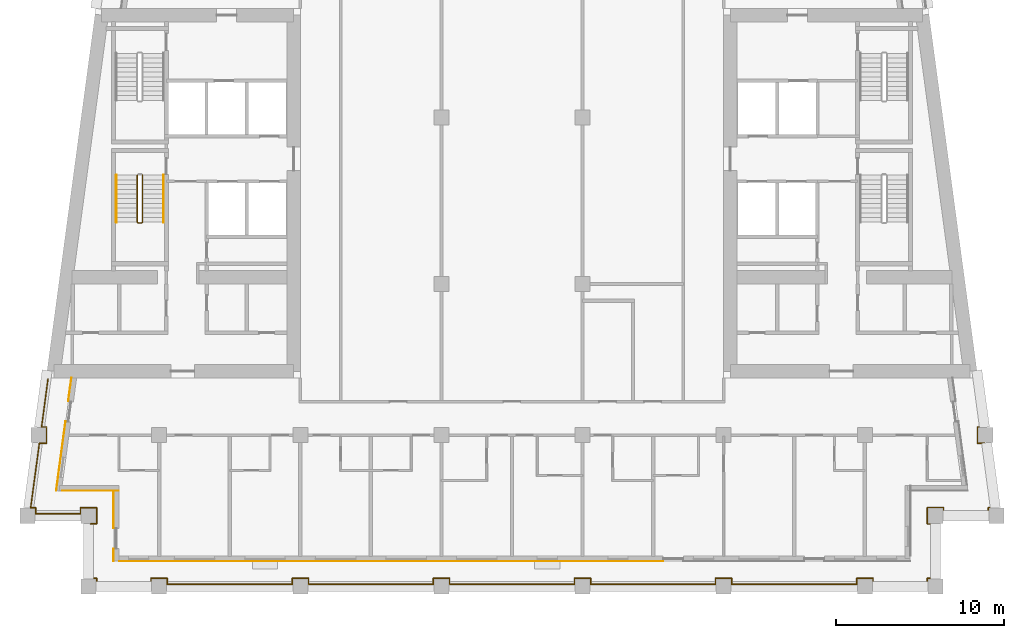
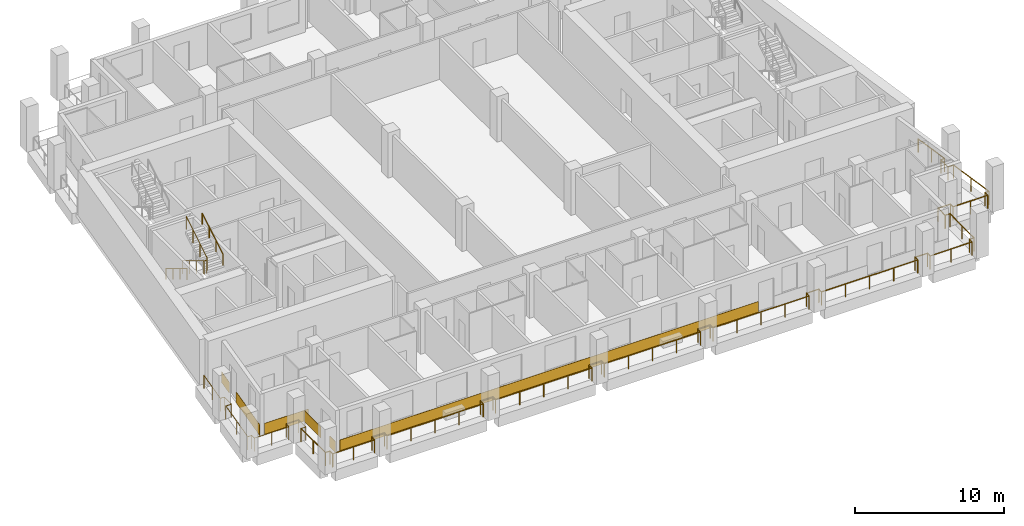
# One storey, part 9 of 13: 6 coverings, 5 railings.
"""IFC4 building model written with IfcOpenShell, lengths in metres."""

from ifc_helpers import new_model, si_unit, direction, frame, origin, origin_2d, place, context, subcontext, project, spatial, rectangle, circle, extrude, material, layer, layer_set, type_object, element, save


model = new_model("IFC4")

# Units and contexts
model_context = context("Model", 3, precision=1e-05, world=origin(), true_north=direction((0.0, 1.0)))
body_context = subcontext(model_context, "Body", "Model", "MODEL_VIEW")
ifc_project = project(units=[si_unit("LENGTHUNIT", "METRE"), si_unit("AREAUNIT", "SQUARE_METRE"), si_unit("VOLUMEUNIT", "CUBIC_METRE"), si_unit("PLANEANGLEUNIT", "RADIAN"), si_unit("MASSUNIT", "GRAM", prefix="KILO")], contexts=[model_context])

# Site, building, storey
site_placement = place(None, origin())
site = spatial("IfcSite", under=ifc_project, at=site_placement, CompositionType="ELEMENT")
building_placement = place(site_placement, origin())
building = spatial("IfcBuilding", under=site, at=building_placement, Name="Candeia Pilgrim Tower and Theatre", CompositionType="ELEMENT")
storey_placement = place(building_placement, frame((0.0, 0.0, 205.89990234375)))
storey = spatial("IfcBuildingStorey", under=building, at=storey_placement, Name="L49", CompositionType="ELEMENT", Elevation=205.89990234375)

# Railings
ifc_material_1 = material(Name="Stainless steel balustrade", Category="steel")
railing_type_1 = type_object("IfcRailingType", Name="G1 loggia guard 1100", PredefinedType="GUARDRAIL", material=ifc_material_1)
railing_1_placement = place(storey_placement, frame((88.320068359375, 101.719970703125, 0.0)))
element("IfcRailing", 1, at=railing_1_placement, inside=storey, type_object=railing_type_1, Name="Guard L49.1", PredefinedType="GUARDRAIL", context=body_context, shape_type="SweptSolid", body=[
    extrude(circle(Radius=0.02392578125, at=origin_2d()), frame((0.0, 0.0, 1.076171875), z_axis=(1.0, 0.0, 0.0), x_axis=(0.0, 1.0, 0.0)), (0.0, 0.0, 1.0), 0.35986328125),
    extrude(circle(Radius=0.02392578125, at=origin_2d()), frame((0.35986328125, 0.0, 1.076171875), z_axis=(0.0, 1.0, 0.0), x_axis=(-1.0, 0.0, 0.0)), (0.0, 0.0, 1.0), 0.9599609375),
    extrude(circle(Radius=0.02392578125, at=origin_2d()), frame((0.35986328125, 0.9599609375, 1.076171875), z_axis=(-1.0, 0.0, 0.0), x_axis=(0.0, -1.0, 0.0)), (0.0, 0.0, 1.0), 0.9599609375),
    extrude(circle(Radius=0.02392578125, at=origin_2d()), frame((-0.60009765625, 0.9599609375, 1.076171875), z_axis=(0.0, -1.0, 0.0), x_axis=(1.0, 0.0, 0.0)), (0.0, 0.0, 1.0), 0.35986328125),
    extrude(circle(Radius=0.02392578125, at=origin_2d()), frame((-0.60009765625, 0.60009765625, 1.076171875), z_axis=(-1.0, 0.0, 0.0), x_axis=(0.0, -1.0, 0.0)), (0.0, 0.0, 1.0), 2.674560546875),
    extrude(circle(Radius=0.02392578125, at=origin_2d()), frame((-3.274658203125, 0.60009765625, 1.076171875), z_axis=(0.0, 1.0, 0.0), x_axis=(-1.0, 0.0, 0.0)), (0.0, 0.0, 1.0), 0.35986328125),
    extrude(circle(Radius=0.02392578125, at=origin_2d()), frame((-3.274658203125, 0.9599609375, 1.076171875), z_axis=(-1.0, 0.0, 0.0), x_axis=(0.0, -1.0, 0.0)), (0.0, 0.0, 1.0), 0.29443359375),
    extrude(circle(Radius=0.02392578125, at=origin_2d()), frame((-3.569091796875, 0.9599609375, 1.076171875), z_axis=(0.133451286285, 0.991055373927, 0.0), x_axis=(-0.991055373927, 0.133451286285, 0.0)), (0.0, 0.0, 1.0), 3.874755859375),
    extrude(circle(Radius=0.02392578125, at=origin_2d()), frame((-3.052001953125, 4.800048828125, 1.076171875), z_axis=(1.0, 0.0, 0.0), x_axis=(0.0, 1.0, 0.0)), (0.0, 0.0, 1.0), 0.423583984375),
    extrude(circle(Radius=0.02392578125, at=origin_2d()), frame((-2.62841796875, 4.800048828125, 1.076171875), z_axis=(0.0, 1.0, 0.0), x_axis=(-1.0, 0.0, 0.0)), (0.0, 0.0, 1.0), 0.9599609375),
    extrude(circle(Radius=0.02392578125, at=origin_2d()), frame((-2.62841796875, 5.760009765625, 1.076171875), z_axis=(-1.0, 0.0, 0.0), x_axis=(0.0, -1.0, 0.0)), (0.0, 0.0, 1.0), 0.29443359375),
    extrude(circle(Radius=0.02392578125, at=origin_2d()), frame((-2.9228515625, 5.760009765625, 1.076171875), z_axis=(0.133450228179, 0.991055516406, 0.0), x_axis=(-0.991055516406, 0.133450228179, 0.0)), (0.0, 0.0, 1.0), 2.89599609375),
    extrude(circle(Radius=0.02099609375, at=origin_2d()), origin(), (0.0, 0.0, 1.0), 1.052001953125),
    extrude(circle(Radius=0.02099609375, at=origin_2d()), frame((0.35986328125, 0.0, 0.0)), (0.0, 0.0, 1.0), 1.052001953125),
    extrude(circle(Radius=0.02099609375, at=origin_2d()), frame((0.35986328125, 0.9599609375, 0.0)), (0.0, 0.0, 1.0), 1.052001953125),
    extrude(circle(Radius=0.02099609375, at=origin_2d()), frame((-0.60009765625, 0.9599609375, 0.0)), (0.0, 0.0, 1.0), 1.052001953125),
    extrude(circle(Radius=0.02099609375, at=origin_2d()), frame((-0.60009765625, 0.60009765625, 0.0)), (0.0, 0.0, 1.0), 1.052001953125),
    extrude(circle(Radius=0.02099609375, at=origin_2d()), frame((-1.9375, 0.60009765625, 0.0)), (0.0, 0.0, 1.0), 1.052001953125),
    extrude(circle(Radius=0.02099609375, at=origin_2d()), frame((-3.274658203125, 0.60009765625, 0.0)), (0.0, 0.0, 1.0), 1.052001953125),
    extrude(circle(Radius=0.02099609375, at=origin_2d()), frame((-3.274658203125, 0.9599609375, 0.0)), (0.0, 0.0, 1.0), 1.052001953125),
    extrude(circle(Radius=0.02099609375, at=origin_2d()), frame((-3.569091796875, 0.9599609375, 0.0)), (0.0, 0.0, 1.0), 1.052001953125),
    extrude(circle(Radius=0.02099609375, at=origin_2d()), frame((-3.310546875, 2.8798828125, 0.0)), (0.0, 0.0, 1.0), 1.052001953125),
    extrude(circle(Radius=0.02099609375, at=origin_2d()), frame((-3.052001953125, 4.800048828125, 0.0)), (0.0, 0.0, 1.0), 1.052001953125),
    extrude(circle(Radius=0.02099609375, at=origin_2d()), frame((-2.62841796875, 4.800048828125, 0.0)), (0.0, 0.0, 1.0), 1.052001953125),
    extrude(circle(Radius=0.02099609375, at=origin_2d()), frame((-2.62841796875, 5.760009765625, 0.0)), (0.0, 0.0, 1.0), 1.052001953125),
    extrude(circle(Radius=0.02099609375, at=origin_2d()), frame((-2.9228515625, 5.760009765625, 0.0)), (0.0, 0.0, 1.0), 1.052001953125),
    extrude(circle(Radius=0.02099609375, at=origin_2d()), frame((-2.7294921875, 7.195068359375, 0.0)), (0.0, 0.0, 1.0), 1.052001953125),
    extrude(circle(Radius=0.02099609375, at=origin_2d()), frame((-2.536376953125, 8.630126953125, 0.0)), (0.0, 0.0, 1.0), 1.052001953125),
])
railing_2_placement = place(storey_placement, frame((141.016357421875, 110.35009765625, 0.0)))
element("IfcRailing", 2, at=railing_2_placement, inside=storey, type_object=railing_type_1, Name="Guard L49.4", PredefinedType="GUARDRAIL", context=body_context, shape_type="SweptSolid", body=[
    extrude(circle(Radius=0.02392578125, at=origin_2d()), frame((0.0, 0.0, 1.076171875), z_axis=(0.133450228179, -0.991055516406, 0.0), x_axis=(0.991055516406, 0.133450228179, 0.0)), (0.0, 0.0, 1.0), 2.89599609375),
    extrude(circle(Radius=0.02392578125, at=origin_2d()), frame((0.386474609375, -2.8701171875, 1.076171875), z_axis=(-1.0, 0.0, 0.0), x_axis=(0.0, -1.0, 0.0)), (0.0, 0.0, 1.0), 0.29443359375),
    extrude(circle(Radius=0.02392578125, at=origin_2d()), frame((0.092041015625, -2.8701171875, 1.076171875), z_axis=(0.0, -1.0, 0.0), x_axis=(1.0, 0.0, 0.0)), (0.0, 0.0, 1.0), 0.9599609375),
    extrude(circle(Radius=0.02392578125, at=origin_2d()), frame((0.092041015625, -3.830078125, 1.076171875), z_axis=(1.0, 0.0, 0.0), x_axis=(0.0, 1.0, 0.0)), (0.0, 0.0, 1.0), 0.423583984375),
    extrude(circle(Radius=0.02392578125, at=origin_2d()), frame((0.515625, -3.830078125, 1.076171875), z_axis=(0.133389399471, -0.991063705374, 0.0), x_axis=(0.991063705374, 0.133389399471, 0.0)), (0.0, 0.0, 1.0), 3.874755859375),
    extrude(circle(Radius=0.02392578125, at=origin_2d()), frame((1.032470703125, -7.670166015625, 1.076171875), z_axis=(-1.0, 0.0, 0.0), x_axis=(0.0, -1.0, 0.0)), (0.0, 0.0, 1.0), 0.294189453125),
    extrude(circle(Radius=0.02392578125, at=origin_2d()), frame((0.73828125, -7.670166015625, 1.076171875), z_axis=(0.0, -1.0, 0.0), x_axis=(1.0, 0.0, 0.0)), (0.0, 0.0, 1.0), 0.35986328125),
    extrude(circle(Radius=0.02392578125, at=origin_2d()), frame((0.73828125, -8.030029296875, 1.076171875), z_axis=(-1.0, 0.0, 0.0), x_axis=(0.0, -1.0, 0.0)), (0.0, 0.0, 1.0), 2.674560546875),
    extrude(circle(Radius=0.02392578125, at=origin_2d()), frame((-1.936279296875, -8.030029296875, 1.076171875), z_axis=(0.0, 1.0, 0.0), x_axis=(-1.0, 0.0, 0.0)), (0.0, 0.0, 1.0), 0.35986328125),
    extrude(circle(Radius=0.02392578125, at=origin_2d()), frame((-1.936279296875, -7.670166015625, 1.076171875), z_axis=(-1.0, 0.0, 0.0), x_axis=(0.0, -1.0, 0.0)), (0.0, 0.0, 1.0), 0.9599609375),
    extrude(circle(Radius=0.02392578125, at=origin_2d()), frame((-2.896240234375, -7.670166015625, 1.076171875), z_axis=(0.0, -1.0, 0.0), x_axis=(1.0, 0.0, 0.0)), (0.0, 0.0, 1.0), 0.9599609375),
    extrude(circle(Radius=0.02392578125, at=origin_2d()), frame((-2.896240234375, -8.630126953125, 1.076171875), z_axis=(1.0, 0.0, 0.0), x_axis=(0.0, 1.0, 0.0)), (0.0, 0.0, 1.0), 0.35986328125),
    extrude(circle(Radius=0.02392578125, at=origin_2d()), frame((-2.536376953125, -8.630126953125, 1.076171875), z_axis=(0.0, -1.0, 0.0), x_axis=(1.0, 0.0, 0.0)), (0.0, 0.0, 1.0), 3.239990234375),
    extrude(circle(Radius=0.02392578125, at=origin_2d()), frame((-2.536376953125, -11.8701171875, 1.076171875), z_axis=(-1.0, 0.0, 0.0), x_axis=(0.0, -1.0, 0.0)), (0.0, 0.0, 1.0), 0.35986328125),
    extrude(circle(Radius=0.02392578125, at=origin_2d()), frame((-2.896240234375, -11.8701171875, 1.076171875), z_axis=(0.0, -1.0, 0.0), x_axis=(1.0, 0.0, 0.0)), (0.0, 0.0, 1.0), 0.35986328125),
    extrude(circle(Radius=0.02392578125, at=origin_2d()), frame((-2.896240234375, -12.22998046875, 1.076171875), z_axis=(-1.0, 0.0, 0.0), x_axis=(0.0, -1.0, 0.0)), (0.0, 0.0, 1.0), 3.240234375),
    extrude(circle(Radius=0.02392578125, at=origin_2d()), frame((-6.136474609375, -12.22998046875, 1.076171875), z_axis=(0.0, 1.0, 0.0), x_axis=(-1.0, 0.0, 0.0)), (0.0, 0.0, 1.0), 0.35986328125),
    extrude(circle(Radius=0.02392578125, at=origin_2d()), frame((-6.136474609375, -11.8701171875, 1.076171875), z_axis=(-1.0, 0.0, 0.0), x_axis=(0.0, -1.0, 0.0)), (0.0, 0.0, 1.0), 0.9599609375),
    extrude(circle(Radius=0.02392578125, at=origin_2d()), frame((-7.096435546875, -11.8701171875, 1.076171875), z_axis=(0.0, -1.0, 0.0), x_axis=(1.0, 0.0, 0.0)), (0.0, 0.0, 1.0), 0.35986328125),
    extrude(circle(Radius=0.02392578125, at=origin_2d()), frame((-7.096435546875, -12.22998046875, 1.076171875), z_axis=(-1.0, 0.0, 0.0), x_axis=(0.0, -1.0, 0.0)), (0.0, 0.0, 1.0), 7.43994140625),
    extrude(circle(Radius=0.02392578125, at=origin_2d()), frame((-14.536376953125, -12.22998046875, 1.076171875), z_axis=(0.0, 1.0, 0.0), x_axis=(-1.0, 0.0, 0.0)), (0.0, 0.0, 1.0), 0.35986328125),
    extrude(circle(Radius=0.02392578125, at=origin_2d()), frame((-14.536376953125, -11.8701171875, 1.076171875), z_axis=(-1.0, 0.0, 0.0), x_axis=(0.0, -1.0, 0.0)), (0.0, 0.0, 1.0), 0.9599609375),
    extrude(circle(Radius=0.02392578125, at=origin_2d()), frame((-15.496337890625, -11.8701171875, 1.076171875), z_axis=(0.0, -1.0, 0.0), x_axis=(1.0, 0.0, 0.0)), (0.0, 0.0, 1.0), 0.35986328125),
    extrude(circle(Radius=0.02392578125, at=origin_2d()), frame((-15.496337890625, -12.22998046875, 1.076171875), z_axis=(-1.0, 0.0, 0.0), x_axis=(0.0, -1.0, 0.0)), (0.0, 0.0, 1.0), 7.43994140625),
    extrude(circle(Radius=0.02392578125, at=origin_2d()), frame((-22.936279296875, -12.22998046875, 1.076171875), z_axis=(0.0, 1.0, 0.0), x_axis=(-1.0, 0.0, 0.0)), (0.0, 0.0, 1.0), 0.35986328125),
    extrude(circle(Radius=0.02392578125, at=origin_2d()), frame((-22.936279296875, -11.8701171875, 1.076171875), z_axis=(-1.0, 0.0, 0.0), x_axis=(0.0, -1.0, 0.0)), (0.0, 0.0, 1.0), 0.9599609375),
    extrude(circle(Radius=0.02392578125, at=origin_2d()), frame((-23.896240234375, -11.8701171875, 1.076171875), z_axis=(0.0, -1.0, 0.0), x_axis=(1.0, 0.0, 0.0)), (0.0, 0.0, 1.0), 0.35986328125),
    extrude(circle(Radius=0.02392578125, at=origin_2d()), frame((-23.896240234375, -12.22998046875, 1.076171875), z_axis=(-1.0, 0.0, 0.0), x_axis=(0.0, -1.0, 0.0)), (0.0, 0.0, 1.0), 7.440185546875),
    extrude(circle(Radius=0.02392578125, at=origin_2d()), frame((-31.33642578125, -12.22998046875, 1.076171875), z_axis=(0.0, 1.0, 0.0), x_axis=(-1.0, 0.0, 0.0)), (0.0, 0.0, 1.0), 0.35986328125),
    extrude(circle(Radius=0.02392578125, at=origin_2d()), frame((-31.33642578125, -11.8701171875, 1.076171875), z_axis=(-1.0, 0.0, 0.0), x_axis=(0.0, -1.0, 0.0)), (0.0, 0.0, 1.0), 0.9599609375),
    extrude(circle(Radius=0.02392578125, at=origin_2d()), frame((-32.29638671875, -11.8701171875, 1.076171875), z_axis=(0.0, -1.0, 0.0), x_axis=(1.0, 0.0, 0.0)), (0.0, 0.0, 1.0), 0.35986328125),
    extrude(circle(Radius=0.02392578125, at=origin_2d()), frame((-32.29638671875, -12.22998046875, 1.076171875), z_axis=(-1.0, 0.0, 0.0), x_axis=(0.0, -1.0, 0.0)), (0.0, 0.0, 1.0), 7.43994140625),
    extrude(circle(Radius=0.02392578125, at=origin_2d()), frame((-39.736328125, -12.22998046875, 1.076171875), z_axis=(0.0, 1.0, 0.0), x_axis=(-1.0, 0.0, 0.0)), (0.0, 0.0, 1.0), 0.35986328125),
    extrude(circle(Radius=0.02392578125, at=origin_2d()), frame((-39.736328125, -11.8701171875, 1.076171875), z_axis=(-1.0, 0.0, 0.0), x_axis=(0.0, -1.0, 0.0)), (0.0, 0.0, 1.0), 0.9599609375),
    extrude(circle(Radius=0.02392578125, at=origin_2d()), frame((-40.6962890625, -11.8701171875, 1.076171875), z_axis=(0.0, -1.0, 0.0), x_axis=(1.0, 0.0, 0.0)), (0.0, 0.0, 1.0), 0.35986328125),
    extrude(circle(Radius=0.02392578125, at=origin_2d()), frame((-40.6962890625, -12.22998046875, 1.076171875), z_axis=(-1.0, 0.0, 0.0), x_axis=(0.0, -1.0, 0.0)), (0.0, 0.0, 1.0), 7.440185546875),
    extrude(circle(Radius=0.02392578125, at=origin_2d()), frame((-48.136474609375, -12.22998046875, 1.076171875), z_axis=(0.0, 1.0, 0.0), x_axis=(-1.0, 0.0, 0.0)), (0.0, 0.0, 1.0), 0.35986328125),
    extrude(circle(Radius=0.02392578125, at=origin_2d()), frame((-48.136474609375, -11.8701171875, 1.076171875), z_axis=(-1.0, 0.0, 0.0), x_axis=(0.0, -1.0, 0.0)), (0.0, 0.0, 1.0), 0.9599609375),
    extrude(circle(Radius=0.02392578125, at=origin_2d()), frame((-49.096435546875, -11.8701171875, 1.076171875), z_axis=(0.0, -1.0, 0.0), x_axis=(1.0, 0.0, 0.0)), (0.0, 0.0, 1.0), 0.35986328125),
    extrude(circle(Radius=0.02392578125, at=origin_2d()), frame((-49.096435546875, -12.22998046875, 1.076171875), z_axis=(-1.0, 0.0, 0.0), x_axis=(0.0, -1.0, 0.0)), (0.0, 0.0, 1.0), 3.239990234375),
    extrude(circle(Radius=0.02392578125, at=origin_2d()), frame((-52.33642578125, -12.22998046875, 1.076171875), z_axis=(0.0, 1.0, 0.0), x_axis=(-1.0, 0.0, 0.0)), (0.0, 0.0, 1.0), 0.35986328125),
    extrude(circle(Radius=0.02392578125, at=origin_2d()), frame((-52.33642578125, -11.8701171875, 1.076171875), z_axis=(-1.0, 0.0, 0.0), x_axis=(0.0, -1.0, 0.0)), (0.0, 0.0, 1.0), 0.35986328125),
    extrude(circle(Radius=0.02392578125, at=origin_2d()), frame((-52.6962890625, -11.8701171875, 1.076171875), z_axis=(0.0, 1.0, 0.0), x_axis=(-1.0, 0.0, 0.0)), (0.0, 0.0, 1.0), 3.239990234375),
    extrude(circle(Radius=0.02099609375, at=origin_2d()), origin(), (0.0, 0.0, 1.0), 1.052001953125),
    extrude(circle(Radius=0.02099609375, at=origin_2d()), frame((0.193359375, -1.43505859375, 0.0)), (0.0, 0.0, 1.0), 1.052001953125),
    extrude(circle(Radius=0.02099609375, at=origin_2d()), frame((0.386474609375, -2.8701171875, 0.0)), (0.0, 0.0, 1.0), 1.052001953125),
    extrude(circle(Radius=0.02099609375, at=origin_2d()), frame((0.092041015625, -2.8701171875, 0.0)), (0.0, 0.0, 1.0), 1.052001953125),
    extrude(circle(Radius=0.02099609375, at=origin_2d()), frame((0.092041015625, -3.830078125, 0.0)), (0.0, 0.0, 1.0), 1.052001953125),
    extrude(circle(Radius=0.02099609375, at=origin_2d()), frame((0.515625, -3.830078125, 0.0)), (0.0, 0.0, 1.0), 1.052001953125),
    extrude(circle(Radius=0.02099609375, at=origin_2d()), frame((0.77392578125, -5.75, 0.0)), (0.0, 0.0, 1.0), 1.052001953125),
    extrude(circle(Radius=0.02099609375, at=origin_2d()), frame((1.032470703125, -7.670166015625, 0.0)), (0.0, 0.0, 1.0), 1.052001953125),
    extrude(circle(Radius=0.02099609375, at=origin_2d()), frame((0.73828125, -7.670166015625, 0.0)), (0.0, 0.0, 1.0), 1.052001953125),
    extrude(circle(Radius=0.02099609375, at=origin_2d()), frame((0.73828125, -8.030029296875, 0.0)), (0.0, 0.0, 1.0), 1.052001953125),
    extrude(circle(Radius=0.02099609375, at=origin_2d()), frame((-0.59912109375, -8.030029296875, 0.0)), (0.0, 0.0, 1.0), 1.052001953125),
    extrude(circle(Radius=0.02099609375, at=origin_2d()), frame((-1.936279296875, -8.030029296875, 0.0)), (0.0, 0.0, 1.0), 1.052001953125),
    extrude(circle(Radius=0.02099609375, at=origin_2d()), frame((-1.936279296875, -7.670166015625, 0.0)), (0.0, 0.0, 1.0), 1.052001953125),
    extrude(circle(Radius=0.02099609375, at=origin_2d()), frame((-2.896240234375, -7.670166015625, 0.0)), (0.0, 0.0, 1.0), 1.052001953125),
    extrude(circle(Radius=0.02099609375, at=origin_2d()), frame((-2.896240234375, -8.630126953125, 0.0)), (0.0, 0.0, 1.0), 1.052001953125),
    extrude(circle(Radius=0.02099609375, at=origin_2d()), frame((-2.536376953125, -8.630126953125, 0.0)), (0.0, 0.0, 1.0), 1.052001953125),
    extrude(circle(Radius=0.02099609375, at=origin_2d()), frame((-2.536376953125, -10.25, 0.0)), (0.0, 0.0, 1.0), 1.052001953125),
    extrude(circle(Radius=0.02099609375, at=origin_2d()), frame((-2.536376953125, -11.8701171875, 0.0)), (0.0, 0.0, 1.0), 1.052001953125),
    extrude(circle(Radius=0.02099609375, at=origin_2d()), frame((-2.896240234375, -11.8701171875, 0.0)), (0.0, 0.0, 1.0), 1.052001953125),
    extrude(circle(Radius=0.02099609375, at=origin_2d()), frame((-2.896240234375, -12.22998046875, 0.0)), (0.0, 0.0, 1.0), 1.052001953125),
    extrude(circle(Radius=0.02099609375, at=origin_2d()), frame((-4.516357421875, -12.22998046875, 0.0)), (0.0, 0.0, 1.0), 1.052001953125),
    extrude(circle(Radius=0.02099609375, at=origin_2d()), frame((-6.136474609375, -12.22998046875, 0.0)), (0.0, 0.0, 1.0), 1.052001953125),
    extrude(circle(Radius=0.02099609375, at=origin_2d()), frame((-6.136474609375, -11.8701171875, 0.0)), (0.0, 0.0, 1.0), 1.052001953125),
    extrude(circle(Radius=0.02099609375, at=origin_2d()), frame((-7.096435546875, -11.8701171875, 0.0)), (0.0, 0.0, 1.0), 1.052001953125),
    extrude(circle(Radius=0.02099609375, at=origin_2d()), frame((-7.096435546875, -12.22998046875, 0.0)), (0.0, 0.0, 1.0), 1.052001953125),
    extrude(circle(Radius=0.02099609375, at=origin_2d()), frame((-8.95654296875, -12.22998046875, 0.0)), (0.0, 0.0, 1.0), 1.052001953125),
    extrude(circle(Radius=0.02099609375, at=origin_2d()), frame((-10.81640625, -12.22998046875, 0.0)), (0.0, 0.0, 1.0), 1.052001953125),
    extrude(circle(Radius=0.02099609375, at=origin_2d()), frame((-12.67626953125, -12.22998046875, 0.0)), (0.0, 0.0, 1.0), 1.052001953125),
    extrude(circle(Radius=0.02099609375, at=origin_2d()), frame((-14.536376953125, -12.22998046875, 0.0)), (0.0, 0.0, 1.0), 1.052001953125),
    extrude(circle(Radius=0.02099609375, at=origin_2d()), frame((-14.536376953125, -11.8701171875, 0.0)), (0.0, 0.0, 1.0), 1.052001953125),
    extrude(circle(Radius=0.02099609375, at=origin_2d()), frame((-15.496337890625, -11.8701171875, 0.0)), (0.0, 0.0, 1.0), 1.052001953125),
    extrude(circle(Radius=0.02099609375, at=origin_2d()), frame((-15.496337890625, -12.22998046875, 0.0)), (0.0, 0.0, 1.0), 1.052001953125),
    extrude(circle(Radius=0.02099609375, at=origin_2d()), frame((-17.3564453125, -12.22998046875, 0.0)), (0.0, 0.0, 1.0), 1.052001953125),
    extrude(circle(Radius=0.02099609375, at=origin_2d()), frame((-19.21630859375, -12.22998046875, 0.0)), (0.0, 0.0, 1.0), 1.052001953125),
    extrude(circle(Radius=0.02099609375, at=origin_2d()), frame((-21.076171875, -12.22998046875, 0.0)), (0.0, 0.0, 1.0), 1.052001953125),
    extrude(circle(Radius=0.02099609375, at=origin_2d()), frame((-22.936279296875, -12.22998046875, 0.0)), (0.0, 0.0, 1.0), 1.052001953125),
    extrude(circle(Radius=0.02099609375, at=origin_2d()), frame((-22.936279296875, -11.8701171875, 0.0)), (0.0, 0.0, 1.0), 1.052001953125),
    extrude(circle(Radius=0.02099609375, at=origin_2d()), frame((-23.896240234375, -11.8701171875, 0.0)), (0.0, 0.0, 1.0), 1.052001953125),
    extrude(circle(Radius=0.02099609375, at=origin_2d()), frame((-23.896240234375, -12.22998046875, 0.0)), (0.0, 0.0, 1.0), 1.052001953125),
    extrude(circle(Radius=0.02099609375, at=origin_2d()), frame((-25.75634765625, -12.22998046875, 0.0)), (0.0, 0.0, 1.0), 1.052001953125),
    extrude(circle(Radius=0.02099609375, at=origin_2d()), frame((-27.6162109375, -12.22998046875, 0.0)), (0.0, 0.0, 1.0), 1.052001953125),
    extrude(circle(Radius=0.02099609375, at=origin_2d()), frame((-29.476318359375, -12.22998046875, 0.0)), (0.0, 0.0, 1.0), 1.052001953125),
    extrude(circle(Radius=0.02099609375, at=origin_2d()), frame((-31.33642578125, -12.22998046875, 0.0)), (0.0, 0.0, 1.0), 1.052001953125),
    extrude(circle(Radius=0.02099609375, at=origin_2d()), frame((-31.33642578125, -11.8701171875, 0.0)), (0.0, 0.0, 1.0), 1.052001953125),
    extrude(circle(Radius=0.02099609375, at=origin_2d()), frame((-32.29638671875, -11.8701171875, 0.0)), (0.0, 0.0, 1.0), 1.052001953125),
    extrude(circle(Radius=0.02099609375, at=origin_2d()), frame((-32.29638671875, -12.22998046875, 0.0)), (0.0, 0.0, 1.0), 1.052001953125),
    extrude(circle(Radius=0.02099609375, at=origin_2d()), frame((-34.15625, -12.22998046875, 0.0)), (0.0, 0.0, 1.0), 1.052001953125),
    extrude(circle(Radius=0.02099609375, at=origin_2d()), frame((-36.016357421875, -12.22998046875, 0.0)), (0.0, 0.0, 1.0), 1.052001953125),
    extrude(circle(Radius=0.02099609375, at=origin_2d()), frame((-37.87646484375, -12.22998046875, 0.0)), (0.0, 0.0, 1.0), 1.052001953125),
    extrude(circle(Radius=0.02099609375, at=origin_2d()), frame((-39.736328125, -12.22998046875, 0.0)), (0.0, 0.0, 1.0), 1.052001953125),
    extrude(circle(Radius=0.02099609375, at=origin_2d()), frame((-39.736328125, -11.8701171875, 0.0)), (0.0, 0.0, 1.0), 1.052001953125),
    extrude(circle(Radius=0.02099609375, at=origin_2d()), frame((-40.6962890625, -11.8701171875, 0.0)), (0.0, 0.0, 1.0), 1.052001953125),
    extrude(circle(Radius=0.02099609375, at=origin_2d()), frame((-40.6962890625, -12.22998046875, 0.0)), (0.0, 0.0, 1.0), 1.052001953125),
    extrude(circle(Radius=0.02099609375, at=origin_2d()), frame((-42.556396484375, -12.22998046875, 0.0)), (0.0, 0.0, 1.0), 1.052001953125),
    extrude(circle(Radius=0.02099609375, at=origin_2d()), frame((-44.41650390625, -12.22998046875, 0.0)), (0.0, 0.0, 1.0), 1.052001953125),
    extrude(circle(Radius=0.02099609375, at=origin_2d()), frame((-46.2763671875, -12.22998046875, 0.0)), (0.0, 0.0, 1.0), 1.052001953125),
    extrude(circle(Radius=0.02099609375, at=origin_2d()), frame((-48.136474609375, -12.22998046875, 0.0)), (0.0, 0.0, 1.0), 1.052001953125),
    extrude(circle(Radius=0.02099609375, at=origin_2d()), frame((-48.136474609375, -11.8701171875, 0.0)), (0.0, 0.0, 1.0), 1.052001953125),
    extrude(circle(Radius=0.02099609375, at=origin_2d()), frame((-49.096435546875, -11.8701171875, 0.0)), (0.0, 0.0, 1.0), 1.052001953125),
    extrude(circle(Radius=0.02099609375, at=origin_2d()), frame((-49.096435546875, -12.22998046875, 0.0)), (0.0, 0.0, 1.0), 1.052001953125),
    extrude(circle(Radius=0.02099609375, at=origin_2d()), frame((-50.71630859375, -12.22998046875, 0.0)), (0.0, 0.0, 1.0), 1.052001953125),
    extrude(circle(Radius=0.02099609375, at=origin_2d()), frame((-52.33642578125, -12.22998046875, 0.0)), (0.0, 0.0, 1.0), 1.052001953125),
    extrude(circle(Radius=0.02099609375, at=origin_2d()), frame((-52.33642578125, -11.8701171875, 0.0)), (0.0, 0.0, 1.0), 1.052001953125),
    extrude(circle(Radius=0.02099609375, at=origin_2d()), frame((-52.6962890625, -11.8701171875, 0.0)), (0.0, 0.0, 1.0), 1.052001953125),
    extrude(circle(Radius=0.02099609375, at=origin_2d()), frame((-52.6962890625, -10.25, 0.0)), (0.0, 0.0, 1.0), 1.052001953125),
    extrude(circle(Radius=0.02099609375, at=origin_2d()), frame((-52.6962890625, -8.630126953125, 0.0)), (0.0, 0.0, 1.0), 1.052001953125),
])

# Coverings
ifc_material_2 = material(Name="Glazed ceramic tile bottle green")
ifc_layer = layer(ifc_material_2, 0.02001953125)
ifc_layer_set = layer_set([ifc_layer], Name="Glazed ceramic tile bottle green")
covering_type = type_object("IfcCoveringType", Name="Glazed ceramic tile bottle green", PredefinedType="CLADDING", material=ifc_layer_set)
covering_1_placement = place(storey_placement, frame((106.2099609375, 99.489990234375, 0.000244140625), z_axis=(0.0, 0.0, 1.0), x_axis=(1.0, 0.0, 0.0)))
element("IfcCovering", 3, at=covering_1_placement, inside=storey, type_object=covering_type, Name="Tile cladding bottle green L49", PredefinedType="CLADDING", context=body_context, shape_type="SweptSolid", body=[
    extrude(rectangle(XDim=32.3798828125, YDim=0.02001953125, at=origin_2d()), origin(), (0.0, 0.0, 1.0), 0.89990234375),
])
covering_2_placement = place(storey_placement, frame((87.0810546875, 109.71875, 0.000244140625), z_axis=(0.0, 0.0, 1.0), x_axis=(-0.133412012145, -0.991060661622, 0.0)))
element("IfcCovering", 4, at=covering_2_placement, inside=storey, type_object=covering_type, Name="Tile cladding bottle green L49", PredefinedType="CLADDING", context=body_context, shape_type="SweptSolid", body=[
    extrude(rectangle(XDim=1.41796875, YDim=0.02001953125, at=origin_2d()), origin(), (0.0, 0.0, 1.0), 0.89990234375),
])
covering_3_placement = place(storey_placement, frame((86.548583984375, 105.763916015625, 0.000244140625), z_axis=(0.0, 0.0, 1.0), x_axis=(-0.133412012145, -0.991060661622, 0.0)))
element("IfcCovering", 5, at=covering_3_placement, inside=storey, type_object=covering_type, Name="Tile cladding bottle green L49", PredefinedType="CLADDING", context=body_context, shape_type="SweptSolid", body=[
    extrude(rectangle(XDim=4.16259765625, YDim=0.02001953125, at=origin_2d()), origin(), (0.0, 0.0, 1.0), 0.89990234375),
])
covering_4_placement = place(storey_placement, frame((88.311279296875, 103.68994140625, 0.000244140625), z_axis=(0.0, 0.0, 1.0), x_axis=(1.0, 0.0, 0.0)))
element("IfcCovering", 6, at=covering_4_placement, inside=storey, type_object=covering_type, Name="Tile cladding bottle green L49", PredefinedType="CLADDING", context=body_context, shape_type="SweptSolid", body=[
    extrude(rectangle(XDim=3.377685546875, YDim=0.02001953125, at=origin_2d()), origin(), (0.0, 0.0, 1.0), 0.89990234375),
])
covering_5_placement = place(storey_placement, frame((89.68994140625, 102.56494140625, 0.000244140625), z_axis=(0.0, 0.0, 1.0), x_axis=(0.0, -1.0, 0.0)))
element("IfcCovering", 7, at=covering_5_placement, inside=storey, type_object=covering_type, Name="Tile cladding bottle green L49", PredefinedType="CLADDING", context=body_context, shape_type="SweptSolid", body=[
    extrude(rectangle(XDim=2.22998046875, YDim=0.02001953125, at=origin_2d()), origin(), (0.0, 0.0, 1.0), 0.89990234375),
])
covering_6_placement = place(storey_placement, frame((89.68994140625, 99.875, 0.000244140625), z_axis=(0.0, 0.0, 1.0), x_axis=(0.0, -1.0, 0.0)))
element("IfcCovering", 8, at=covering_6_placement, inside=storey, type_object=covering_type, Name="Tile cladding bottle green L49", PredefinedType="CLADDING", context=body_context, shape_type="SweptSolid", body=[
    extrude(rectangle(XDim=0.75, YDim=0.02001953125, at=origin_2d()), origin(), (0.0, 0.0, 1.0), 0.89990234375),
])

# Railings
railing_type_2 = type_object("IfcRailingType", Name="RL-GUARD-1100", PredefinedType="GUARDRAIL", material=ifc_material_1)
railing_3_placement = place(storey_placement, frame((91.10205078125, 122.47509765625, 0.168212890625)))
element("IfcRailing", 9, at=railing_3_placement, inside=storey, type_object=railing_type_2, Name="L49 ST1 stair guard 1", PredefinedType="GUARDRAIL", context=body_context, shape_type="SweptSolid", body=[
    extrude(circle(Radius=0.02392578125, at=origin_2d()), frame((0.0, 0.0, 1.076171875), z_axis=(0.0, -0.857242210791, 0.514913383045), x_axis=(1.0, 0.0, 0.0)), (0.0, 0.0, 1.0), 3.266357421875),
    extrude(circle(Radius=0.02392578125, at=origin_2d()), frame((0.0, -2.800048828125, 2.7578125), z_axis=(0.707106781187, -0.707106781187, 0.0), x_axis=(0.707106781187, 0.707106781187, 0.0)), (0.0, 0.0, 1.0), 0.07080078125),
    extrude(circle(Radius=0.02392578125, at=origin_2d()), frame((0.050048828125, -2.85009765625, 2.7578125), z_axis=(1.0, 0.0, 0.0), x_axis=(0.0, 1.0, 0.0)), (0.0, 0.0, 1.0), 0.199951171875),
    extrude(circle(Radius=0.02392578125, at=origin_2d()), frame((0.25, -2.85009765625, 2.7578125), z_axis=(0.274243871929, 0.274243871929, 0.92172696468), x_axis=(-0.707106781187, 0.707106781187, 0.0)), (0.0, 0.0, 1.0), 0.1826171875),
    extrude(circle(Radius=0.02392578125, at=origin_2d()), frame((0.300048828125, -2.800048828125, 2.92626953125), z_axis=(0.0, 0.857242210791, 0.514913383045), x_axis=(-1.0, 0.0, 0.0)), (0.0, 0.0, 1.0), 3.266357421875),
    extrude(circle(Radius=0.02099609375, at=origin_2d()), origin(), (0.0, 0.0, 1.0), 1.052001953125),
    extrude(circle(Radius=0.02099609375, at=origin_2d()), frame((0.0, -0.933349609375, 0.560546875)), (0.0, 0.0, 1.0), 1.052001953125),
    extrude(circle(Radius=0.02099609375, at=origin_2d()), frame((0.0, -1.86669921875, 1.121337890625)), (0.0, 0.0, 1.0), 1.052001953125),
    extrude(circle(Radius=0.02099609375, at=origin_2d()), frame((0.0, -2.800048828125, 1.681884765625)), (0.0, 0.0, 1.0), 1.052001953125),
    extrude(circle(Radius=0.02099609375, at=origin_2d()), frame((0.050048828125, -2.85009765625, 1.681884765625)), (0.0, 0.0, 1.0), 1.052001953125),
    extrude(circle(Radius=0.02099609375, at=origin_2d()), frame((0.25, -2.85009765625, 1.681884765625)), (0.0, 0.0, 1.0), 1.052001953125),
    extrude(circle(Radius=0.02099609375, at=origin_2d()), frame((0.300048828125, -2.800048828125, 1.85009765625)), (0.0, 0.0, 1.0), 1.052001953125),
    extrude(circle(Radius=0.02099609375, at=origin_2d()), frame((0.300048828125, -1.86669921875, 2.41064453125)), (0.0, 0.0, 1.0), 1.052001953125),
    extrude(circle(Radius=0.02099609375, at=origin_2d()), frame((0.300048828125, -0.933349609375, 2.971435546875)), (0.0, 0.0, 1.0), 1.052001953125),
    extrude(circle(Radius=0.02099609375, at=origin_2d()), frame((0.300048828125, 0.0, 3.531982421875)), (0.0, 0.0, 1.0), 1.052001953125),
])
ifc_material_3 = material(Name="Stainless steel handrail", Category="steel")
railing_type_3 = type_object("IfcRailingType", Name="RL-HANDRAIL-900", PredefinedType="HANDRAIL", material=ifc_material_3)
railing_4_placement = place(storey_placement, frame((89.85205078125, 122.47509765625, 0.168212890625)))
element("IfcRailing", 10, at=railing_4_placement, inside=storey, type_object=railing_type_3, Name="L49 ST1 stair handrail 1", PredefinedType="HANDRAIL", context=body_context, shape_type="SweptSolid", body=[
    extrude(circle(Radius=0.02392578125, at=origin_2d()), frame((0.0, 0.0, 0.8759765625), z_axis=(0.0, -0.857242210791, 0.514913383045), x_axis=(1.0, 0.0, 0.0)), (0.0, 0.0, 1.0), 3.266357421875),
    extrude(circle(Radius=0.02099609375, at=origin_2d()), origin(), (0.0, 0.0, 1.0), 0.851806640625),
    extrude(circle(Radius=0.02099609375, at=origin_2d()), frame((0.0, -0.933349609375, 0.560546875)), (0.0, 0.0, 1.0), 0.851806640625),
    extrude(circle(Radius=0.02099609375, at=origin_2d()), frame((0.0, -1.86669921875, 1.121337890625)), (0.0, 0.0, 1.0), 0.851806640625),
    extrude(circle(Radius=0.02099609375, at=origin_2d()), frame((0.0, -2.800048828125, 1.681884765625)), (0.0, 0.0, 1.0), 0.851806640625),
])
railing_5_placement = place(storey_placement, frame((92.652099609375, 119.675048828125, 2.018310546875)))
element("IfcRailing", 11, at=railing_5_placement, inside=storey, type_object=railing_type_3, Name="L49 ST1 stair handrail 2", PredefinedType="HANDRAIL", context=body_context, shape_type="SweptSolid", body=[
    extrude(circle(Radius=0.02392578125, at=origin_2d()), frame((0.0, 0.0, 0.8759765625), z_axis=(0.0, 0.857242210791, 0.514913383045), x_axis=(-1.0, 0.0, 0.0)), (0.0, 0.0, 1.0), 3.266357421875),
    extrude(circle(Radius=0.02099609375, at=origin_2d()), origin(), (0.0, 0.0, 1.0), 0.851806640625),
    extrude(circle(Radius=0.02099609375, at=origin_2d()), frame((0.0, 0.933349609375, 0.560546875)), (0.0, 0.0, 1.0), 0.851806640625),
    extrude(circle(Radius=0.02099609375, at=origin_2d()), frame((0.0, 1.86669921875, 1.121337890625)), (0.0, 0.0, 1.0), 0.851806640625),
    extrude(circle(Radius=0.02099609375, at=origin_2d()), frame((0.0, 2.800048828125, 1.681884765625)), (0.0, 0.0, 1.0), 0.851806640625),
])

save(model, "model.ifc")
